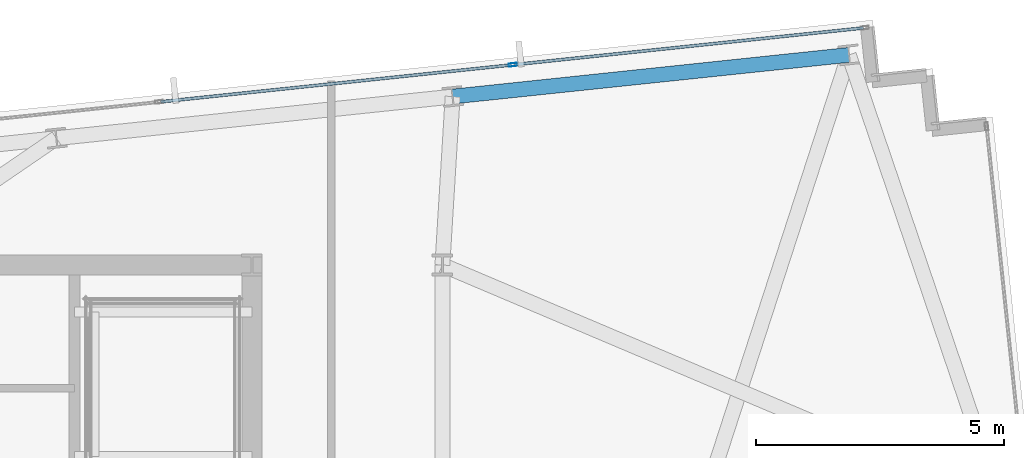
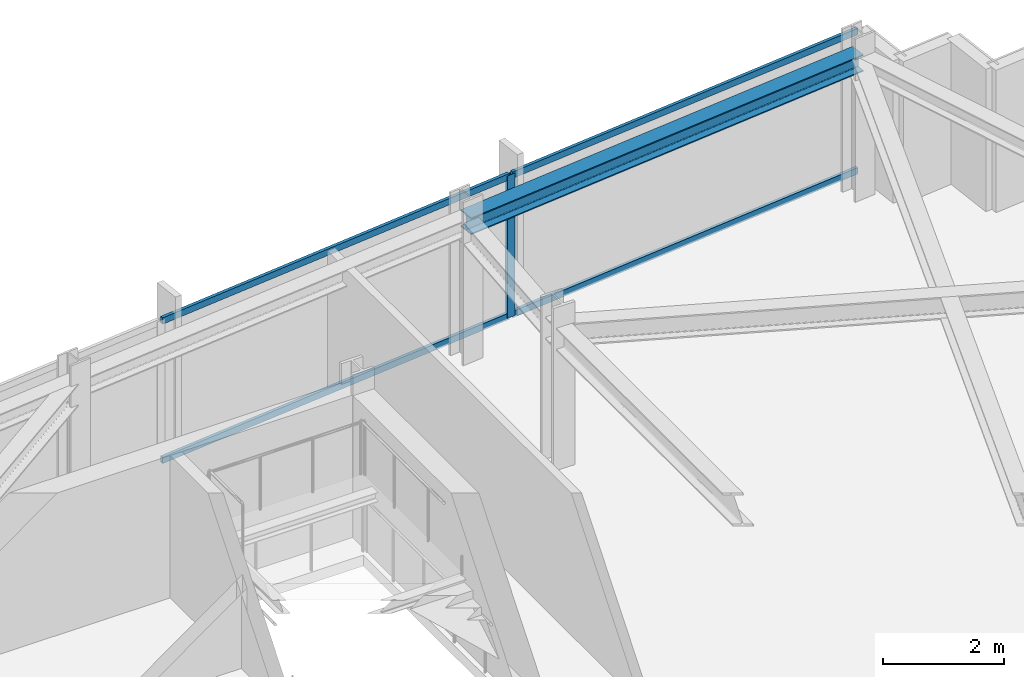
# One storey, part 24 of 33: 5 members, 1 beam, 1 element without a shape of its own.
"""IFC4 building model written with IfcOpenShell, lengths in metres."""

from ifc_helpers import new_model, si_unit, direction, frame, origin, origin_2d, place, context, subcontext, project, spatial, hollow_rectangle, i_section, extrude, material, material_profile, profile_set, type_object, element, aggregate, save


model = new_model("IFC4")

# Units and contexts
model_context = context("Model", 3, precision=1e-05, world=origin(), true_north=direction((0.0, 1.0)))
body_context = subcontext(model_context, "Body", "Model", "MODEL_VIEW")
ifc_project = project(units=[si_unit("LENGTHUNIT", "METRE"), si_unit("AREAUNIT", "SQUARE_METRE"), si_unit("VOLUMEUNIT", "CUBIC_METRE"), si_unit("PLANEANGLEUNIT", "RADIAN"), si_unit("MASSUNIT", "GRAM", prefix="KILO")], contexts=[model_context])

# Site, building, storey
site_placement = place(None, origin())
site = spatial("IfcSite", under=ifc_project, at=site_placement, CompositionType="ELEMENT")
building_placement = place(site_placement, origin())
building = spatial("IfcBuilding", under=site, at=building_placement, Name="Yelkora Congress Tower", CompositionType="ELEMENT")
storey_placement = place(building_placement, frame((0.0, 0.0, 244.10009765625)))
storey = spatial("IfcBuildingStorey", under=building, at=storey_placement, Name="L68", CompositionType="ELEMENT", Elevation=244.10009765625)

# Beam
ifc_material_1 = material(Name="Steel S355J2", Category="steel")
ifc_material_profile_1 = material_profile(ifc_material_1, i_section(OverallWidth=0.300048828125, OverallDepth=0.340087890625, WebThickness=0.011962890625, FlangeThickness=0.021484375, FilletRadius=0.027099609375, at=origin_2d()), Name="HEB 340")
ifc_profile_set_1 = profile_set([ifc_material_profile_1], Name="Steel S355J2")
beam_type = type_object("IfcBeamType", Name="BM-SPAN-HEB340", PredefinedType="SPANDREL", material=ifc_profile_set_1)
beam_placement = place(storey_placement, frame((65.7958984375, 50.4365234375, 2.7099609375), z_axis=(-0.994520097542, -0.104545567032, 0.0), x_axis=(0.104545567032, -0.994520097542, 0.0)))
element("IfcBeam", 1, at=beam_placement, inside=storey, type_object=beam_type, Name="L68 Perimeter Beam 13", PredefinedType="SPANDREL", context=body_context, shape_type="SweptSolid", body=[
    extrude(i_section(OverallWidth=0.300048828125, OverallDepth=0.340087890625, WebThickness=0.011962890625, FlangeThickness=0.021484375, FilletRadius=0.027099609375, at=origin_2d()), origin(), (0.0, 0.0, 1.0), 8.033203125),
])

# Curtain wall, members
ifc_material_2 = material(Name="Anodised aluminium and insulated glass", Category="aluminium")
curtain_wall_type = type_object("IfcCurtainWallType", Name="CW-SYS-B4", PredefinedType="NOTDEFINED", material=ifc_material_2)
curtain_wall_placement = place(storey_placement, origin())
curtain_wall = element("IfcCurtainWall", 2, at=curtain_wall_placement, inside=storey, type_object=curtain_wall_type, Name="L68 Unitised Curtain Wall 10 (3)", PredefinedType="NOTDEFINED")
ifc_material_3 = material(Name="Anodised aluminium 6063-T6", Category="aluminium")
ifc_material_profile_2 = material_profile(ifc_material_3, hollow_rectangle(XDim=0.06494140625, YDim=0.159912109375, WallThickness=0.00390625, at=origin_2d()), Name="ALU 65x160x4")
ifc_profile_set_2 = profile_set([ifc_material_profile_2], Name="Anodised aluminium 6063-T6")
member_type_1 = type_object("IfcMemberType", Name="MEM-ML-B4", PredefinedType="MULLION", material=ifc_profile_set_2)
member_1_placement = place(storey_placement, frame((59.019775390625, 50.237060546875, 0.0), z_axis=(0.0, 0.0, 1.0), x_axis=(-0.104527724021, 0.994521973066, 0.0)))
member_1 = element("IfcMember", 3, at=member_1_placement, type_object=member_type_1, Name="CW-B4 mullion 6", PredefinedType="MULLION", context=body_context, shape_type="SweptSolid", body=[
    extrude(hollow_rectangle(XDim=0.06494140625, YDim=0.159912109375, WallThickness=0.00390625, at=origin_2d()), origin(), (0.0, 0.0, 1.0), 2.8798828125),
])
ifc_material_profile_3 = material_profile(ifc_material_3, hollow_rectangle(XDim=0.06005859375, YDim=0.1298828125, WallThickness=0.00390625, at=origin_2d()), Name="ALU 60x130x4")
ifc_profile_set_3 = profile_set([ifc_material_profile_3], Name="Anodised aluminium 6063-T6")
member_type_2 = type_object("IfcMemberType", Name="MEM-TR-B4", PredefinedType="USERDEFINED", material=ifc_profile_set_3)
member_2_placement = place(storey_placement, frame((51.92138671875, 49.490966796875, 0.02978515625), z_axis=(0.99452200925, 0.104527379751, 0.0), x_axis=(-0.104527379751, 0.99452200925, 0.0)))
member_2 = element("IfcMember", 4, at=member_2_placement, type_object=member_type_2, Name="CW-B4 transom 5.1", ObjectType="TRANSOM", PredefinedType="USERDEFINED", context=body_context, shape_type="SweptSolid", body=[
    extrude(hollow_rectangle(XDim=0.06005859375, YDim=0.1298828125, WallThickness=0.00390625, at=origin_2d()), origin(), (0.0, 0.0, 1.0), 7.10498046875),
])
member_3_placement = place(storey_placement, frame((51.92138671875, 49.490966796875, 2.849853515625), z_axis=(0.99452200925, 0.104527379751, 0.0), x_axis=(-0.104527379751, 0.99452200925, 0.0)))
member_3 = element("IfcMember", 5, at=member_3_placement, type_object=member_type_2, Name="CW-B4 transom 5.2", ObjectType="TRANSOM", PredefinedType="USERDEFINED", context=body_context, shape_type="SweptSolid", body=[
    extrude(hollow_rectangle(XDim=0.06005859375, YDim=0.1298828125, WallThickness=0.00390625, at=origin_2d()), origin(), (0.0, 0.0, 1.0), 7.10498046875),
])
member_4_placement = place(storey_placement, frame((59.052001953125, 50.240478515625, 0.02978515625), z_axis=(0.994522462765, 0.104523064706, 0.0), x_axis=(-0.104523064706, 0.994522462765, 0.0)))
member_4 = element("IfcMember", 6, at=member_4_placement, type_object=member_type_2, Name="CW-B4 transom 6.1", ObjectType="TRANSOM", PredefinedType="USERDEFINED", context=body_context, shape_type="SweptSolid", body=[
    extrude(hollow_rectangle(XDim=0.06005859375, YDim=0.1298828125, WallThickness=0.00390625, at=origin_2d()), origin(), (0.0, 0.0, 1.0), 7.07275390625),
])
member_5_placement = place(storey_placement, frame((59.052001953125, 50.240478515625, 2.849853515625), z_axis=(0.994522462765, 0.104523064706, 0.0), x_axis=(-0.104523064706, 0.994522462765, 0.0)))
member_5 = element("IfcMember", 7, at=member_5_placement, type_object=member_type_2, Name="CW-B4 transom 6.2", ObjectType="TRANSOM", PredefinedType="USERDEFINED", context=body_context, shape_type="SweptSolid", body=[
    extrude(hollow_rectangle(XDim=0.06005859375, YDim=0.1298828125, WallThickness=0.00390625, at=origin_2d()), origin(), (0.0, 0.0, 1.0), 7.07275390625),
])
aggregate(curtain_wall, [member_1, member_2, member_3, member_4, member_5])

save(model, "model.ifc")
